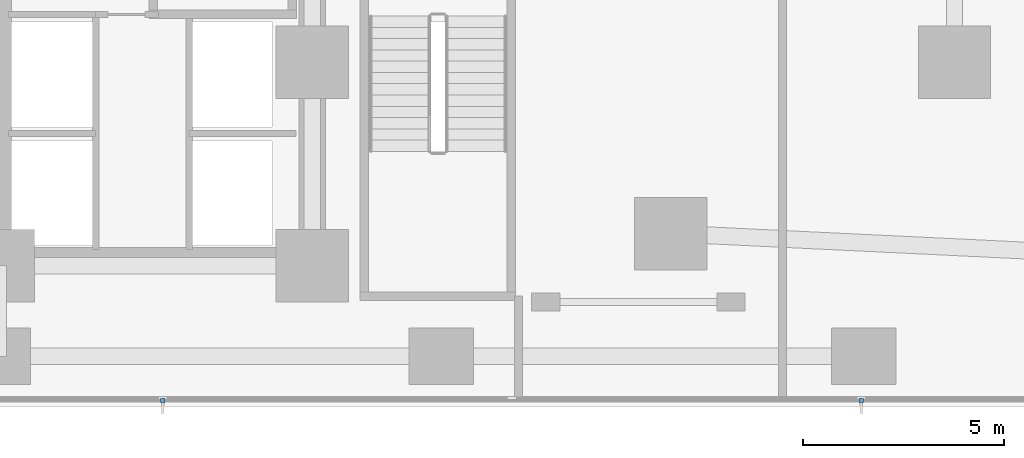
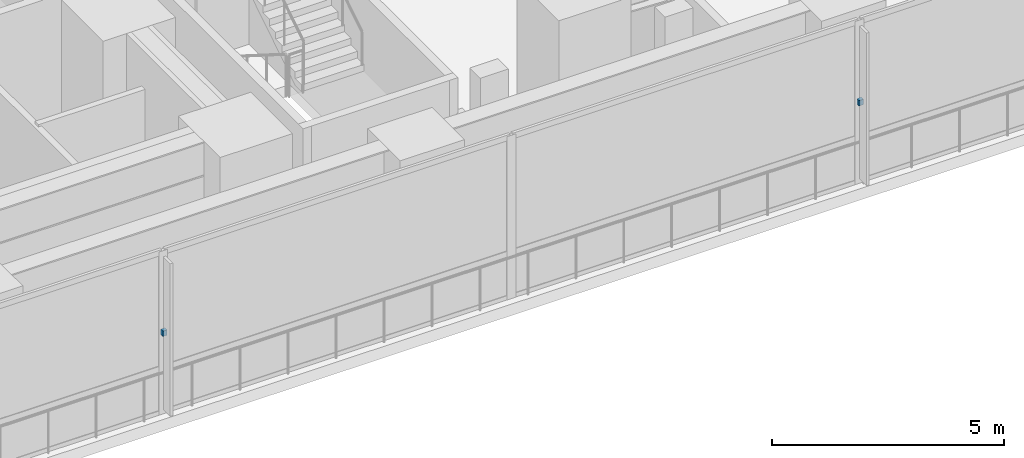
# One storey, part 15 of 27: 2 discrete accessories.
"""IFC4 building model written with IfcOpenShell, lengths in metres."""

from ifc_helpers import new_model, si_unit, direction, frame, origin, place, context, subcontext, project, spatial, polyline, outline, extrude, material, type_object, element, save


model = new_model("IFC4")

# Units and contexts
model_context = context("Model", 3, precision=1e-05, world=origin(), true_north=direction((0.0, 1.0)))
body_context = subcontext(model_context, "Body", "Model", "MODEL_VIEW")
ifc_project = project(units=[si_unit("LENGTHUNIT", "METRE"), si_unit("AREAUNIT", "SQUARE_METRE"), si_unit("VOLUMEUNIT", "CUBIC_METRE"), si_unit("PLANEANGLEUNIT", "RADIAN"), si_unit("MASSUNIT", "GRAM", prefix="KILO")], contexts=[model_context])

# Site, building, storey
site_placement = place(None, origin())
site = spatial("IfcSite", under=ifc_project, at=site_placement, CompositionType="ELEMENT")
building_placement = place(site_placement, origin())
building = spatial("IfcBuilding", under=site, at=building_placement, Name="Qalmaran Belvedere Hotel", CompositionType="ELEMENT")
storey_placement = place(building_placement, frame((0.0, 0.0, 5.39990234375)))
storey = spatial("IfcBuildingStorey", under=building, at=storey_placement, Name="L01", CompositionType="ELEMENT", Elevation=5.39990234375)

# Discrete accessories
ifc_material = material(Name="Stainless Steel 1.4401", Category="steel")
discrete_accessory_type = type_object("IfcDiscreteAccessoryType", Name="BRK-FIN-SS316", PredefinedType="BRACKET", material=ifc_material)
discrete_accessory_1_placement = place(storey_placement, frame((0.0, 0.0, 2.10009765625)))
element("IfcDiscreteAccessory", 1, at=discrete_accessory_1_placement, inside=storey, type_object=discrete_accessory_type, Name="L01 Fin Bracket 5", PredefinedType="BRACKET", context=body_context, shape_type="SweptSolid", body=[
    extrude(outline(polyline([(41.03173828125, 0.205078125), (41.03173828125, 0.107421875), (41.1416015625, 0.107421875), (41.1416015625, 0.205078125), (41.03173828125, 0.205078125)])), origin(), (0.0, 0.0, 1.0), 0.139892578125),
])
discrete_accessory_2_placement = place(storey_placement, frame((0.0, 0.0, 2.10009765625)))
element("IfcDiscreteAccessory", 2, at=discrete_accessory_2_placement, inside=storey, type_object=discrete_accessory_type, Name="L01 Fin Bracket 7", PredefinedType="BRACKET", context=body_context, shape_type="SweptSolid", body=[
    extrude(outline(polyline([(58.37841796875, 0.205078125), (58.37841796875, 0.107421875), (58.48828125, 0.107421875), (58.48828125, 0.205078125), (58.37841796875, 0.205078125)])), origin(), (0.0, 0.0, 1.0), 0.139892578125),
])

save(model, "model.ifc")
